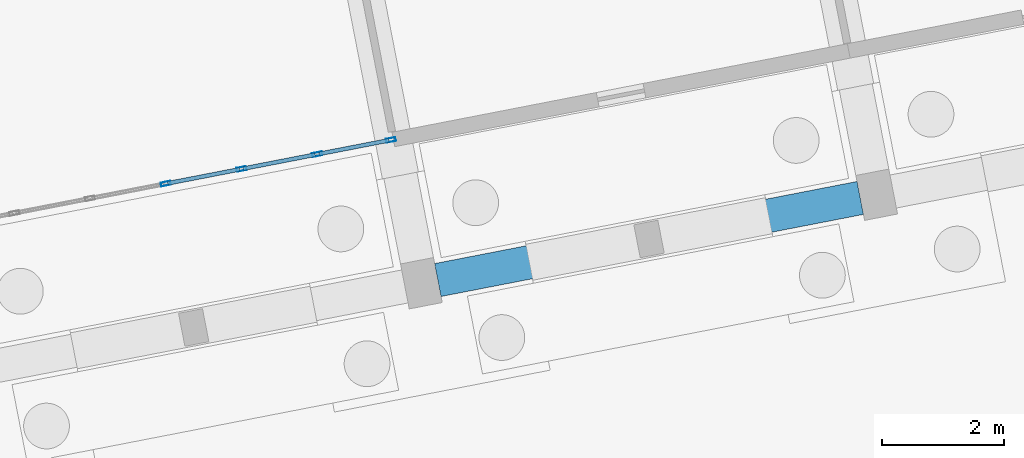
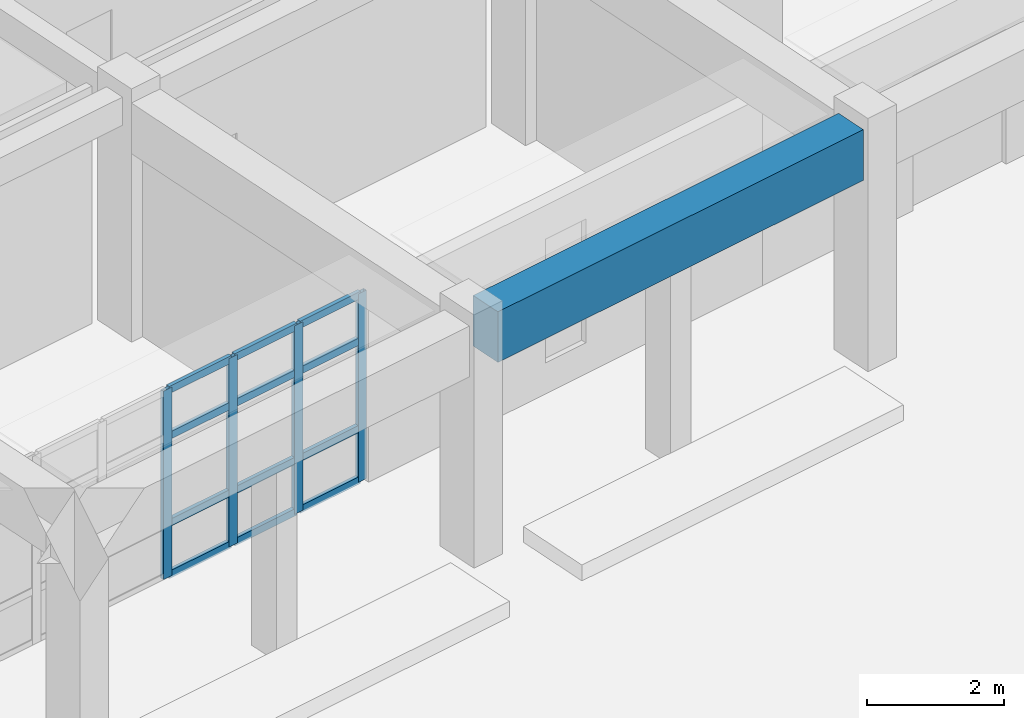
# One storey, part 89 of 154: 16 members, 1 beam, 1 element without a shape of its own.
"""IFC4 building model written with IfcOpenShell, lengths in metres."""

from ifc_helpers import new_model, si_unit, direction, frame, origin, origin_2d, place, context, subcontext, project, spatial, rectangle, hollow_rectangle, extrude, material, material_profile, profile_set, type_object, element, aggregate, save


model = new_model("IFC4")

# Units and contexts
model_context = context("Model", 3, precision=1e-05, world=origin(), true_north=direction((0.0, 1.0)))
body_context = subcontext(model_context, "Body", "Model", "MODEL_VIEW")
ifc_project = project(units=[si_unit("LENGTHUNIT", "METRE"), si_unit("AREAUNIT", "SQUARE_METRE"), si_unit("VOLUMEUNIT", "CUBIC_METRE"), si_unit("PLANEANGLEUNIT", "RADIAN"), si_unit("MASSUNIT", "GRAM", prefix="KILO")], contexts=[model_context])

# Site, building, storey
site_placement = place(None, origin())
site = spatial("IfcSite", under=ifc_project, at=site_placement, CompositionType="ELEMENT")
building_placement = place(site_placement, origin())
building = spatial("IfcBuilding", under=site, at=building_placement, Name="Kestramere Prow Commons", CompositionType="ELEMENT")
storey_placement = place(building_placement, origin())
storey = spatial("IfcBuildingStorey", under=building, at=storey_placement, Name="L00", CompositionType="ELEMENT", Elevation=0.0)

# Curtain wall, members
ifc_material_1 = material(Name="Anodised Aluminium and Low-E Glass", Category="aluminium")
curtain_wall_type = type_object("IfcCurtainWallType", Name="CW-07 Glazed Curtain Wall 7580x3350", PredefinedType="USERDEFINED", material=ifc_material_1)
curtain_wall_placement = place(storey_placement, origin())
curtain_wall = element("IfcCurtainWall", 1, at=curtain_wall_placement, inside=storey, type_object=curtain_wall_type, Name="Block D L00 South Colonnade Storefront 2", ObjectType="GLAZED CURTAIN WALL", PredefinedType="USERDEFINED")
ifc_material_2 = material(Name="Anodised Aluminium 6063-T6", Category="aluminium")
ifc_material_profile_1 = material_profile(ifc_material_2, hollow_rectangle(XDim=0.06494140625, YDim=0.159912109375, WallThickness=0.00390625, at=origin_2d()), Name="ALU-MUL 65x160")
ifc_profile_set_1 = profile_set([ifc_material_profile_1], Name="Anodised Aluminium 6063-T6")
member_type_1 = type_object("IfcMemberType", Name="CW-MUL-65x160", PredefinedType="MULLION", material=ifc_profile_set_1)
member_1_placement = place(storey_placement, frame((132.821044921875, 39.248046875, 0.0), z_axis=(0.0, 0.0, 1.0), x_axis=(0.190808973121, -0.981627187774, 0.0)))
member_1 = element("IfcMember", 2, at=member_1_placement, type_object=member_type_1, Name="CW-07 mullion 1", PredefinedType="MULLION", context=body_context, shape_type="SweptSolid", body=[
    extrude(hollow_rectangle(XDim=0.06494140625, YDim=0.159912109375, WallThickness=0.00390625, at=origin_2d()), origin(), (0.0, 0.0, 1.0), 3.35009765625),
])
member_2_placement = place(storey_placement, frame((131.61279296875, 39.01318359375, 0.0), z_axis=(0.0, 0.0, 1.0), x_axis=(0.190808973121, -0.981627187774, 0.0)))
member_2 = element("IfcMember", 3, at=member_2_placement, type_object=member_type_1, Name="CW-07 mullion 2", PredefinedType="MULLION", context=body_context, shape_type="SweptSolid", body=[
    extrude(hollow_rectangle(XDim=0.06494140625, YDim=0.159912109375, WallThickness=0.00390625, at=origin_2d()), origin(), (0.0, 0.0, 1.0), 3.35009765625),
])
member_3_placement = place(storey_placement, frame((130.372802734375, 38.772216796875, 0.0), z_axis=(0.0, 0.0, 1.0), x_axis=(0.190808973121, -0.981627187774, 0.0)))
member_3 = element("IfcMember", 4, at=member_3_placement, type_object=member_type_1, Name="CW-07 mullion 3", PredefinedType="MULLION", context=body_context, shape_type="SweptSolid", body=[
    extrude(hollow_rectangle(XDim=0.06494140625, YDim=0.159912109375, WallThickness=0.00390625, at=origin_2d()), origin(), (0.0, 0.0, 1.0), 3.35009765625),
])
member_4_placement = place(storey_placement, frame((129.132568359375, 38.53125, 0.0), z_axis=(0.0, 0.0, 1.0), x_axis=(0.190808973121, -0.981627187774, 0.0)))
member_4 = element("IfcMember", 5, at=member_4_placement, type_object=member_type_1, Name="CW-07 mullion 4", PredefinedType="MULLION", context=body_context, shape_type="SweptSolid", body=[
    extrude(hollow_rectangle(XDim=0.06494140625, YDim=0.159912109375, WallThickness=0.00390625, at=origin_2d()), origin(), (0.0, 0.0, 1.0), 3.35009765625),
])
ifc_material_profile_2 = material_profile(ifc_material_2, hollow_rectangle(XDim=0.06494140625, YDim=0.1298828125, WallThickness=0.00390625, at=origin_2d()), Name="ALU-TRN 65x130")
ifc_profile_set_2 = profile_set([ifc_material_profile_2], Name="Anodised Aluminium 6063-T6")
member_type_2 = type_object("IfcMemberType", Name="CW-TRN-65x130", PredefinedType="USERDEFINED", material=ifc_profile_set_2)
member_5_placement = place(storey_placement, frame((132.7890625, 39.241943359375, 0.032470703125), z_axis=(-0.981629557026, -0.190796783967, 0.0), x_axis=(0.190796783967, -0.981629557026, 0.0)))
member_5 = element("IfcMember", 6, at=member_5_placement, type_object=member_type_2, Name="CW-07 transom 1.1", ObjectType="TRANSOM", PredefinedType="USERDEFINED", context=body_context, shape_type="SweptSolid", body=[
    extrude(hollow_rectangle(XDim=0.06494140625, YDim=0.1298828125, WallThickness=0.00390625, at=origin_2d()), origin(), (0.0, 0.0, 1.0), 1.165771484375),
])
member_6_placement = place(storey_placement, frame((132.7890625, 39.241943359375, 0.949951171875), z_axis=(-0.981629557026, -0.190796783967, 0.0), x_axis=(0.190796783967, -0.981629557026, 0.0)))
member_6 = element("IfcMember", 7, at=member_6_placement, type_object=member_type_2, Name="CW-07 transom 1.2", ObjectType="TRANSOM", PredefinedType="USERDEFINED", context=body_context, shape_type="SweptSolid", body=[
    extrude(hollow_rectangle(XDim=0.06494140625, YDim=0.1298828125, WallThickness=0.00390625, at=origin_2d()), origin(), (0.0, 0.0, 1.0), 1.165771484375),
])
member_7_placement = place(storey_placement, frame((132.7890625, 39.241943359375, 2.5), z_axis=(-0.981629557026, -0.190796783967, 0.0), x_axis=(0.190796783967, -0.981629557026, 0.0)))
member_7 = element("IfcMember", 8, at=member_7_placement, type_object=member_type_2, Name="CW-07 transom 1.3", ObjectType="TRANSOM", PredefinedType="USERDEFINED", context=body_context, shape_type="SweptSolid", body=[
    extrude(hollow_rectangle(XDim=0.06494140625, YDim=0.1298828125, WallThickness=0.00390625, at=origin_2d()), origin(), (0.0, 0.0, 1.0), 1.165771484375),
])
member_8_placement = place(storey_placement, frame((132.7890625, 39.241943359375, 3.3173828125), z_axis=(-0.981629557026, -0.190796783967, 0.0), x_axis=(0.190796783967, -0.981629557026, 0.0)))
member_8 = element("IfcMember", 9, at=member_8_placement, type_object=member_type_2, Name="CW-07 transom 1.4", ObjectType="TRANSOM", PredefinedType="USERDEFINED", context=body_context, shape_type="SweptSolid", body=[
    extrude(hollow_rectangle(XDim=0.06494140625, YDim=0.1298828125, WallThickness=0.00390625, at=origin_2d()), origin(), (0.0, 0.0, 1.0), 1.165771484375),
])
member_9_placement = place(storey_placement, frame((131.5810546875, 39.007080078125, 0.032470703125), z_axis=(-0.981616449787, -0.190864206983, 0.0), x_axis=(0.190864206983, -0.981616449787, 0.0)))
member_9 = element("IfcMember", 10, at=member_9_placement, type_object=member_type_2, Name="CW-07 transom 2.1", ObjectType="TRANSOM", PredefinedType="USERDEFINED", context=body_context, shape_type="SweptSolid", body=[
    extrude(hollow_rectangle(XDim=0.06494140625, YDim=0.1298828125, WallThickness=0.00390625, at=origin_2d()), origin(), (0.0, 0.0, 1.0), 1.198486328125),
])
member_10_placement = place(storey_placement, frame((131.5810546875, 39.007080078125, 0.949951171875), z_axis=(-0.981616449787, -0.190864206983, 0.0), x_axis=(0.190864206983, -0.981616449787, 0.0)))
member_10 = element("IfcMember", 11, at=member_10_placement, type_object=member_type_2, Name="CW-07 transom 2.2", ObjectType="TRANSOM", PredefinedType="USERDEFINED", context=body_context, shape_type="SweptSolid", body=[
    extrude(hollow_rectangle(XDim=0.06494140625, YDim=0.1298828125, WallThickness=0.00390625, at=origin_2d()), origin(), (0.0, 0.0, 1.0), 1.198486328125),
])
member_11_placement = place(storey_placement, frame((131.5810546875, 39.007080078125, 2.5), z_axis=(-0.981616449787, -0.190864206983, 0.0), x_axis=(0.190864206983, -0.981616449787, 0.0)))
member_11 = element("IfcMember", 12, at=member_11_placement, type_object=member_type_2, Name="CW-07 transom 2.3", ObjectType="TRANSOM", PredefinedType="USERDEFINED", context=body_context, shape_type="SweptSolid", body=[
    extrude(hollow_rectangle(XDim=0.06494140625, YDim=0.1298828125, WallThickness=0.00390625, at=origin_2d()), origin(), (0.0, 0.0, 1.0), 1.198486328125),
])
member_12_placement = place(storey_placement, frame((131.5810546875, 39.007080078125, 3.3173828125), z_axis=(-0.981616449787, -0.190864206983, 0.0), x_axis=(0.190864206983, -0.981616449787, 0.0)))
member_12 = element("IfcMember", 13, at=member_12_placement, type_object=member_type_2, Name="CW-07 transom 2.4", ObjectType="TRANSOM", PredefinedType="USERDEFINED", context=body_context, shape_type="SweptSolid", body=[
    extrude(hollow_rectangle(XDim=0.06494140625, YDim=0.1298828125, WallThickness=0.00390625, at=origin_2d()), origin(), (0.0, 0.0, 1.0), 1.198486328125),
])
member_13_placement = place(storey_placement, frame((130.3408203125, 38.765869140625, 0.032470703125), z_axis=(-0.981647187644, -0.190706053889, 0.0), x_axis=(0.190706053889, -0.981647187644, 0.0)))
member_13 = element("IfcMember", 14, at=member_13_placement, type_object=member_type_2, Name="CW-07 transom 3.1", ObjectType="TRANSOM", PredefinedType="USERDEFINED", context=body_context, shape_type="SweptSolid", body=[
    extrude(hollow_rectangle(XDim=0.06494140625, YDim=0.1298828125, WallThickness=0.00390625, at=origin_2d()), origin(), (0.0, 0.0, 1.0), 1.1982421875),
])
member_14_placement = place(storey_placement, frame((130.3408203125, 38.765869140625, 0.949951171875), z_axis=(-0.981647187644, -0.190706053889, 0.0), x_axis=(0.190706053889, -0.981647187644, 0.0)))
member_14 = element("IfcMember", 15, at=member_14_placement, type_object=member_type_2, Name="CW-07 transom 3.2", ObjectType="TRANSOM", PredefinedType="USERDEFINED", context=body_context, shape_type="SweptSolid", body=[
    extrude(hollow_rectangle(XDim=0.06494140625, YDim=0.1298828125, WallThickness=0.00390625, at=origin_2d()), origin(), (0.0, 0.0, 1.0), 1.1982421875),
])
member_15_placement = place(storey_placement, frame((130.3408203125, 38.765869140625, 2.5), z_axis=(-0.981647187644, -0.190706053889, 0.0), x_axis=(0.190706053889, -0.981647187644, 0.0)))
member_15 = element("IfcMember", 16, at=member_15_placement, type_object=member_type_2, Name="CW-07 transom 3.3", ObjectType="TRANSOM", PredefinedType="USERDEFINED", context=body_context, shape_type="SweptSolid", body=[
    extrude(hollow_rectangle(XDim=0.06494140625, YDim=0.1298828125, WallThickness=0.00390625, at=origin_2d()), origin(), (0.0, 0.0, 1.0), 1.1982421875),
])
member_16_placement = place(storey_placement, frame((130.3408203125, 38.765869140625, 3.3173828125), z_axis=(-0.981647187644, -0.190706053889, 0.0), x_axis=(0.190706053889, -0.981647187644, 0.0)))
member_16 = element("IfcMember", 17, at=member_16_placement, type_object=member_type_2, Name="CW-07 transom 3.4", ObjectType="TRANSOM", PredefinedType="USERDEFINED", context=body_context, shape_type="SweptSolid", body=[
    extrude(hollow_rectangle(XDim=0.06494140625, YDim=0.1298828125, WallThickness=0.00390625, at=origin_2d()), origin(), (0.0, 0.0, 1.0), 1.1982421875),
])
aggregate(curtain_wall, [member_1, member_2, member_3, member_4, member_5, member_6, member_7, member_8, member_9, member_10, member_11, member_12, member_13, member_14, member_15, member_16])

# Beam
ifc_material_3 = material(Name="Precast concrete C40/50", Category="concrete")
ifc_material_profile_3 = material_profile(ifc_material_3, rectangle(XDim=0.550048828125, YDim=0.89990234375, at=origin_2d()), Name="PC-TG 550x900")
ifc_profile_set_3 = profile_set([ifc_material_profile_3], Name="Precast concrete C40/50")
beam_type = type_object("IfcBeamType", Name="TG-01 PC-TG 550x900 (EX)", PredefinedType="BEAM", material=ifc_profile_set_3)
beam_placement = place(storey_placement, frame((133.590576171875, 36.952880859375, 3.800048828125), z_axis=(0.981634308615, 0.190772335914, 0.0), x_axis=(-0.190772335914, 0.981634308615, 0.0)))
element("IfcBeam", 18, at=beam_placement, inside=storey, type_object=beam_type, Name="Block D L00 Longitudinal Beam 1-3", PredefinedType="BEAM", context=body_context, shape_type="SweptSolid", body=[
    extrude(rectangle(XDim=0.550048828125, YDim=0.89990234375, at=origin_2d()), origin(), (0.0, 0.0, 1.0), 7.050048828125),
])

save(model, "model.ifc")
